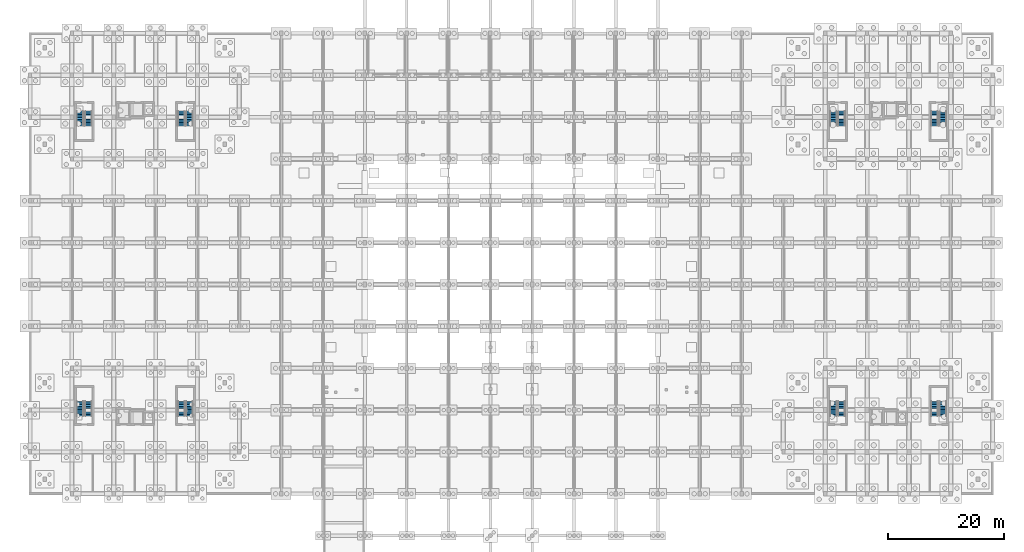
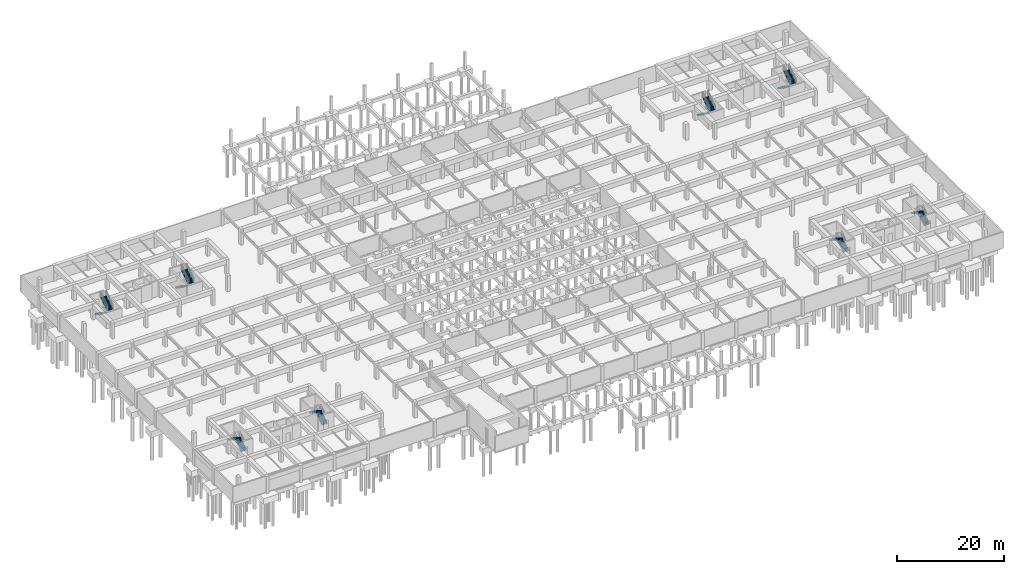
# One storey, part 31 of 36: 16 stair flights, 8 elements without a shape of their own.
"""IFC4 building model written with IfcOpenShell, lengths in metres."""

from ifc_helpers import new_model, si_unit, direction, frame, origin, place, context, subcontext, project, spatial, polyline, outline, extrude, material, type_object, element, aggregate, save


model = new_model("IFC4")

# Units and contexts
model_context = context("Model", 3, precision=1e-05, world=origin(), true_north=direction((0.0, 1.0)))
body_context = subcontext(model_context, "Body", "Model", "MODEL_VIEW")
ifc_project = project(units=[si_unit("LENGTHUNIT", "METRE"), si_unit("AREAUNIT", "SQUARE_METRE"), si_unit("VOLUMEUNIT", "CUBIC_METRE"), si_unit("PLANEANGLEUNIT", "RADIAN"), si_unit("MASSUNIT", "GRAM", prefix="KILO")], contexts=[model_context])

# Site, building, storey
site_placement = place(None, origin())
site = spatial("IfcSite", under=ifc_project, at=site_placement, CompositionType="ELEMENT")
building_placement = place(site_placement, origin())
building = spatial("IfcBuilding", under=site, at=building_placement, Name="Ochrevale Crest", CompositionType="ELEMENT")
storey_placement = place(building_placement, frame((0.0, 0.0, -3.60009765625)))
storey = spatial("IfcBuildingStorey", under=building, at=storey_placement, Name="B1", CompositionType="ELEMENT", Elevation=-3.60009765625)

# Stair, stair flights
ifc_material = material(Name="Precast concrete C40/50", Category="concrete")
stair_type = type_object("IfcStairType", Name="ST-CORE-DOG", PredefinedType="HALF_TURN_STAIR", material=ifc_material)
stair_1_placement = place(storey_placement, origin())
stair_1 = element("IfcStair", 1, at=stair_1_placement, inside=storey, type_object=stair_type, Name="B1 Block A Fire Stair 1", PredefinedType="HALF_TURN_STAIR")
stair_flight_type = type_object("IfcStairFlightType", Name="SFL-CORE-125", PredefinedType="STRAIGHT", material=ifc_material)
stair_flight_1_placement = place(storey_placement, frame((10.02490234375, 27.77490234375, 0.0), z_axis=(0.0, 0.0, 1.0), x_axis=(0.0, 1.0, 0.0)))
stair_flight_1 = element("IfcStairFlight", 2, at=stair_flight_1_placement, type_object=stair_flight_type, Name="ST-A1 flight 1", NumberOfRisers=10, NumberOfTreads=9, PredefinedType="STRAIGHT", RiserHeight=0.18, TreadLength=0.28, context=body_context, shape_type="SweptSolid", body=[
    extrude(outline(polyline([(0.0, 0.0), (0.0, 0.179931640625), (0.280029296875, 0.179931640625), (0.280029296875, 0.360107421875), (0.56005859375, 0.360107421875), (0.56005859375, 0.5400390625), (0.840087890625, 0.5400390625), (0.840087890625, 0.719970703125), (1.1201171875, 0.719970703125), (1.1201171875, 0.89990234375), (1.39990234375, 0.89990234375), (1.39990234375, 1.080078125), (1.679931640625, 1.080078125), (1.679931640625, 1.260009765625), (1.9599609375, 1.260009765625), (1.9599609375, 1.43994140625), (2.239990234375, 1.43994140625), (2.239990234375, 1.6201171875), (2.52001953125, 1.6201171875), (2.52001953125, 1.800048828125), (2.52001953125, 1.44189453125), (0.277099609375, 0.0), (0.0, 0.0)])), frame((0.0, 0.625, 0.0), z_axis=(0.0, -1.0, 0.0), x_axis=(1.0, 0.0, 0.0)), (0.0, 0.0, 1.0), 1.25),
])
stair_flight_2_placement = place(storey_placement, frame((8.625, 30.294921875, 1.800048828125), z_axis=(0.0, 0.0, 1.0), x_axis=(0.0, -1.0, 0.0)))
stair_flight_2 = element("IfcStairFlight", 3, at=stair_flight_2_placement, type_object=stair_flight_type, Name="ST-A1 flight 2", NumberOfRisers=10, NumberOfTreads=9, PredefinedType="STRAIGHT", RiserHeight=0.18, TreadLength=0.28, context=body_context, shape_type="SweptSolid", body=[
    extrude(outline(polyline([(0.0, 0.0), (0.0, 0.179931640625), (0.280029296875, 0.179931640625), (0.280029296875, 0.360107421875), (0.56005859375, 0.360107421875), (0.56005859375, 0.5400390625), (0.840087890625, 0.5400390625), (0.840087890625, 0.719970703125), (1.1201171875, 0.719970703125), (1.1201171875, 0.89990234375), (1.39990234375, 0.89990234375), (1.39990234375, 1.080078125), (1.679931640625, 1.080078125), (1.679931640625, 1.260009765625), (1.9599609375, 1.260009765625), (1.9599609375, 1.43994140625), (2.239990234375, 1.43994140625), (2.239990234375, 1.6201171875), (2.52001953125, 1.6201171875), (2.52001953125, 1.800048828125), (2.52001953125, 1.44189453125), (0.277099609375, 0.0), (0.0, 0.0)])), frame((0.0, 0.625, 0.0), z_axis=(0.0, -1.0, 0.0), x_axis=(1.0, 0.0, 0.0)), (0.0, 0.0, 1.0), 1.25),
])
aggregate(stair_1, [stair_flight_1, stair_flight_2])

stair_2_placement = place(storey_placement, origin())
stair_2 = element("IfcStair", 4, at=stair_2_placement, inside=storey, type_object=stair_type, Name="B1 Block A Fire Stair 2", PredefinedType="HALF_TURN_STAIR")
stair_flight_3_placement = place(storey_placement, frame((27.425048828125, 27.77490234375, 0.0), z_axis=(0.0, 0.0, 1.0), x_axis=(0.0, 1.0, 0.0)))
stair_flight_3 = element("IfcStairFlight", 5, at=stair_flight_3_placement, type_object=stair_flight_type, Name="ST-A2 flight 1", NumberOfRisers=10, NumberOfTreads=9, PredefinedType="STRAIGHT", RiserHeight=0.18, TreadLength=0.28, context=body_context, shape_type="SweptSolid", body=[
    extrude(outline(polyline([(0.0, 0.0), (0.0, 0.179931640625), (0.280029296875, 0.179931640625), (0.280029296875, 0.360107421875), (0.56005859375, 0.360107421875), (0.56005859375, 0.5400390625), (0.840087890625, 0.5400390625), (0.840087890625, 0.719970703125), (1.1201171875, 0.719970703125), (1.1201171875, 0.89990234375), (1.39990234375, 0.89990234375), (1.39990234375, 1.080078125), (1.679931640625, 1.080078125), (1.679931640625, 1.260009765625), (1.9599609375, 1.260009765625), (1.9599609375, 1.43994140625), (2.239990234375, 1.43994140625), (2.239990234375, 1.6201171875), (2.52001953125, 1.6201171875), (2.52001953125, 1.800048828125), (2.52001953125, 1.44189453125), (0.277099609375, 0.0), (0.0, 0.0)])), frame((0.0, 0.625, 0.0), z_axis=(0.0, -1.0, 0.0), x_axis=(1.0, 0.0, 0.0)), (0.0, 0.0, 1.0), 1.25),
])
stair_flight_4_placement = place(storey_placement, frame((26.02490234375, 30.294921875, 1.800048828125), z_axis=(0.0, 0.0, 1.0), x_axis=(0.0, -1.0, 0.0)))
stair_flight_4 = element("IfcStairFlight", 6, at=stair_flight_4_placement, type_object=stair_flight_type, Name="ST-A2 flight 2", NumberOfRisers=10, NumberOfTreads=9, PredefinedType="STRAIGHT", RiserHeight=0.18, TreadLength=0.28, context=body_context, shape_type="SweptSolid", body=[
    extrude(outline(polyline([(0.0, 0.0), (0.0, 0.179931640625), (0.280029296875, 0.179931640625), (0.280029296875, 0.360107421875), (0.56005859375, 0.360107421875), (0.56005859375, 0.5400390625), (0.840087890625, 0.5400390625), (0.840087890625, 0.719970703125), (1.1201171875, 0.719970703125), (1.1201171875, 0.89990234375), (1.39990234375, 0.89990234375), (1.39990234375, 1.080078125), (1.679931640625, 1.080078125), (1.679931640625, 1.260009765625), (1.9599609375, 1.260009765625), (1.9599609375, 1.43994140625), (2.239990234375, 1.43994140625), (2.239990234375, 1.6201171875), (2.52001953125, 1.6201171875), (2.52001953125, 1.800048828125), (2.52001953125, 1.44189453125), (0.277099609375, 0.0), (0.0, 0.0)])), frame((0.0, 0.625, 0.0), z_axis=(0.0, -1.0, 0.0), x_axis=(1.0, 0.0, 0.0)), (0.0, 0.0, 1.0), 1.25),
])
aggregate(stair_2, [stair_flight_3, stair_flight_4])

stair_3_placement = place(storey_placement, origin())
stair_3 = element("IfcStair", 7, at=stair_3_placement, inside=storey, type_object=stair_type, Name="B1 Block B Fire Stair 1", PredefinedType="HALF_TURN_STAIR")
stair_flight_5_placement = place(storey_placement, frame((8.625, 80.22509765625, 0.0), z_axis=(0.0, 0.0, 1.0), x_axis=(0.0, -1.0, 0.0)))
stair_flight_5 = element("IfcStairFlight", 8, at=stair_flight_5_placement, type_object=stair_flight_type, Name="ST-B1 flight 1", NumberOfRisers=10, NumberOfTreads=9, PredefinedType="STRAIGHT", RiserHeight=0.18, TreadLength=0.28, context=body_context, shape_type="SweptSolid", body=[
    extrude(outline(polyline([(0.0, 0.0), (0.0, 0.179931640625), (0.280029296875, 0.179931640625), (0.280029296875, 0.360107421875), (0.56005859375, 0.360107421875), (0.56005859375, 0.5400390625), (0.840087890625, 0.5400390625), (0.840087890625, 0.719970703125), (1.1201171875, 0.719970703125), (1.1201171875, 0.89990234375), (1.39990234375, 0.89990234375), (1.39990234375, 1.080078125), (1.679931640625, 1.080078125), (1.679931640625, 1.260009765625), (1.9599609375, 1.260009765625), (1.9599609375, 1.43994140625), (2.239990234375, 1.43994140625), (2.239990234375, 1.6201171875), (2.52001953125, 1.6201171875), (2.52001953125, 1.800048828125), (2.52001953125, 1.44189453125), (0.277099609375, 0.0), (0.0, 0.0)])), frame((0.0, 0.625, 0.0), z_axis=(0.0, -1.0, 0.0), x_axis=(1.0, 0.0, 0.0)), (0.0, 0.0, 1.0), 1.25),
])
stair_flight_6_placement = place(storey_placement, frame((10.02490234375, 77.705078125, 1.800048828125), z_axis=(0.0, 0.0, 1.0), x_axis=(0.0, 1.0, 0.0)))
stair_flight_6 = element("IfcStairFlight", 9, at=stair_flight_6_placement, type_object=stair_flight_type, Name="ST-B1 flight 2", NumberOfRisers=10, NumberOfTreads=9, PredefinedType="STRAIGHT", RiserHeight=0.18, TreadLength=0.28, context=body_context, shape_type="SweptSolid", body=[
    extrude(outline(polyline([(0.0, 0.0), (0.0, 0.179931640625), (0.280029296875, 0.179931640625), (0.280029296875, 0.360107421875), (0.56005859375, 0.360107421875), (0.56005859375, 0.5400390625), (0.840087890625, 0.5400390625), (0.840087890625, 0.719970703125), (1.1201171875, 0.719970703125), (1.1201171875, 0.89990234375), (1.39990234375, 0.89990234375), (1.39990234375, 1.080078125), (1.679931640625, 1.080078125), (1.679931640625, 1.260009765625), (1.9599609375, 1.260009765625), (1.9599609375, 1.43994140625), (2.239990234375, 1.43994140625), (2.239990234375, 1.6201171875), (2.52001953125, 1.6201171875), (2.52001953125, 1.800048828125), (2.52001953125, 1.44189453125), (0.277099609375, 0.0), (0.0, 0.0)])), frame((0.0, 0.625, 0.0), z_axis=(0.0, -1.0, 0.0), x_axis=(1.0, 0.0, 0.0)), (0.0, 0.0, 1.0), 1.25),
])
aggregate(stair_3, [stair_flight_5, stair_flight_6])

stair_4_placement = place(storey_placement, origin())
stair_4 = element("IfcStair", 10, at=stair_4_placement, inside=storey, type_object=stair_type, Name="B1 Block B Fire Stair 2", PredefinedType="HALF_TURN_STAIR")
stair_flight_7_placement = place(storey_placement, frame((26.02490234375, 80.22509765625, 0.0), z_axis=(0.0, 0.0, 1.0), x_axis=(0.0, -1.0, 0.0)))
stair_flight_7 = element("IfcStairFlight", 11, at=stair_flight_7_placement, type_object=stair_flight_type, Name="ST-B2 flight 1", NumberOfRisers=10, NumberOfTreads=9, PredefinedType="STRAIGHT", RiserHeight=0.18, TreadLength=0.28, context=body_context, shape_type="SweptSolid", body=[
    extrude(outline(polyline([(0.0, 0.0), (0.0, 0.179931640625), (0.280029296875, 0.179931640625), (0.280029296875, 0.360107421875), (0.56005859375, 0.360107421875), (0.56005859375, 0.5400390625), (0.840087890625, 0.5400390625), (0.840087890625, 0.719970703125), (1.1201171875, 0.719970703125), (1.1201171875, 0.89990234375), (1.39990234375, 0.89990234375), (1.39990234375, 1.080078125), (1.679931640625, 1.080078125), (1.679931640625, 1.260009765625), (1.9599609375, 1.260009765625), (1.9599609375, 1.43994140625), (2.239990234375, 1.43994140625), (2.239990234375, 1.6201171875), (2.52001953125, 1.6201171875), (2.52001953125, 1.800048828125), (2.52001953125, 1.44189453125), (0.277099609375, 0.0), (0.0, 0.0)])), frame((0.0, 0.625, 0.0), z_axis=(0.0, -1.0, 0.0), x_axis=(1.0, 0.0, 0.0)), (0.0, 0.0, 1.0), 1.25),
])
stair_flight_8_placement = place(storey_placement, frame((27.425048828125, 77.705078125, 1.800048828125), z_axis=(0.0, 0.0, 1.0), x_axis=(0.0, 1.0, 0.0)))
stair_flight_8 = element("IfcStairFlight", 12, at=stair_flight_8_placement, type_object=stair_flight_type, Name="ST-B2 flight 2", NumberOfRisers=10, NumberOfTreads=9, PredefinedType="STRAIGHT", RiserHeight=0.18, TreadLength=0.28, context=body_context, shape_type="SweptSolid", body=[
    extrude(outline(polyline([(0.0, 0.0), (0.0, 0.179931640625), (0.280029296875, 0.179931640625), (0.280029296875, 0.360107421875), (0.56005859375, 0.360107421875), (0.56005859375, 0.5400390625), (0.840087890625, 0.5400390625), (0.840087890625, 0.719970703125), (1.1201171875, 0.719970703125), (1.1201171875, 0.89990234375), (1.39990234375, 0.89990234375), (1.39990234375, 1.080078125), (1.679931640625, 1.080078125), (1.679931640625, 1.260009765625), (1.9599609375, 1.260009765625), (1.9599609375, 1.43994140625), (2.239990234375, 1.43994140625), (2.239990234375, 1.6201171875), (2.52001953125, 1.6201171875), (2.52001953125, 1.800048828125), (2.52001953125, 1.44189453125), (0.277099609375, 0.0), (0.0, 0.0)])), frame((0.0, 0.625, 0.0), z_axis=(0.0, -1.0, 0.0), x_axis=(1.0, 0.0, 0.0)), (0.0, 0.0, 1.0), 1.25),
])
aggregate(stair_4, [stair_flight_7, stair_flight_8])

stair_5_placement = place(storey_placement, origin())
stair_5 = element("IfcStair", 13, at=stair_5_placement, inside=storey, type_object=stair_type, Name="B1 Block C Fire Stair 1", PredefinedType="HALF_TURN_STAIR")
stair_flight_9_placement = place(storey_placement, frame((139.625, 27.77490234375, 0.0), z_axis=(0.0, 0.0, 1.0), x_axis=(0.0, 1.0, 0.0)))
stair_flight_9 = element("IfcStairFlight", 14, at=stair_flight_9_placement, type_object=stair_flight_type, Name="ST-C1 flight 1", NumberOfRisers=10, NumberOfTreads=9, PredefinedType="STRAIGHT", RiserHeight=0.18, TreadLength=0.28, context=body_context, shape_type="SweptSolid", body=[
    extrude(outline(polyline([(0.0, 0.0), (0.0, 0.179931640625), (0.280029296875, 0.179931640625), (0.280029296875, 0.360107421875), (0.56005859375, 0.360107421875), (0.56005859375, 0.5400390625), (0.840087890625, 0.5400390625), (0.840087890625, 0.719970703125), (1.1201171875, 0.719970703125), (1.1201171875, 0.89990234375), (1.39990234375, 0.89990234375), (1.39990234375, 1.080078125), (1.679931640625, 1.080078125), (1.679931640625, 1.260009765625), (1.9599609375, 1.260009765625), (1.9599609375, 1.43994140625), (2.239990234375, 1.43994140625), (2.239990234375, 1.6201171875), (2.52001953125, 1.6201171875), (2.52001953125, 1.800048828125), (2.52001953125, 1.44189453125), (0.277099609375, 0.0), (0.0, 0.0)])), frame((0.0, 0.625, 0.0), z_axis=(0.0, -1.0, 0.0), x_axis=(1.0, 0.0, 0.0)), (0.0, 0.0, 1.0), 1.25),
])
stair_flight_10_placement = place(storey_placement, frame((138.22509765625, 30.294921875, 1.800048828125), z_axis=(0.0, 0.0, 1.0), x_axis=(0.0, -1.0, 0.0)))
stair_flight_10 = element("IfcStairFlight", 15, at=stair_flight_10_placement, type_object=stair_flight_type, Name="ST-C1 flight 2", NumberOfRisers=10, NumberOfTreads=9, PredefinedType="STRAIGHT", RiserHeight=0.18, TreadLength=0.28, context=body_context, shape_type="SweptSolid", body=[
    extrude(outline(polyline([(0.0, 0.0), (0.0, 0.179931640625), (0.280029296875, 0.179931640625), (0.280029296875, 0.360107421875), (0.56005859375, 0.360107421875), (0.56005859375, 0.5400390625), (0.840087890625, 0.5400390625), (0.840087890625, 0.719970703125), (1.1201171875, 0.719970703125), (1.1201171875, 0.89990234375), (1.39990234375, 0.89990234375), (1.39990234375, 1.080078125), (1.679931640625, 1.080078125), (1.679931640625, 1.260009765625), (1.9599609375, 1.260009765625), (1.9599609375, 1.43994140625), (2.239990234375, 1.43994140625), (2.239990234375, 1.6201171875), (2.52001953125, 1.6201171875), (2.52001953125, 1.800048828125), (2.52001953125, 1.44189453125), (0.277099609375, 0.0), (0.0, 0.0)])), frame((0.0, 0.625, 0.0), z_axis=(0.0, -1.0, 0.0), x_axis=(1.0, 0.0, 0.0)), (0.0, 0.0, 1.0), 1.25),
])
aggregate(stair_5, [stair_flight_9, stair_flight_10])

stair_6_placement = place(storey_placement, origin())
stair_6 = element("IfcStair", 16, at=stair_6_placement, inside=storey, type_object=stair_type, Name="B1 Block C Fire Stair 2", PredefinedType="HALF_TURN_STAIR")
stair_flight_11_placement = place(storey_placement, frame((157.02490234375, 27.77490234375, 0.0), z_axis=(0.0, 0.0, 1.0), x_axis=(0.0, 1.0, 0.0)))
stair_flight_11 = element("IfcStairFlight", 17, at=stair_flight_11_placement, type_object=stair_flight_type, Name="ST-C2 flight 1", NumberOfRisers=10, NumberOfTreads=9, PredefinedType="STRAIGHT", RiserHeight=0.18, TreadLength=0.28, context=body_context, shape_type="SweptSolid", body=[
    extrude(outline(polyline([(0.0, 0.0), (0.0, 0.179931640625), (0.280029296875, 0.179931640625), (0.280029296875, 0.360107421875), (0.56005859375, 0.360107421875), (0.56005859375, 0.5400390625), (0.840087890625, 0.5400390625), (0.840087890625, 0.719970703125), (1.1201171875, 0.719970703125), (1.1201171875, 0.89990234375), (1.39990234375, 0.89990234375), (1.39990234375, 1.080078125), (1.679931640625, 1.080078125), (1.679931640625, 1.260009765625), (1.9599609375, 1.260009765625), (1.9599609375, 1.43994140625), (2.239990234375, 1.43994140625), (2.239990234375, 1.6201171875), (2.52001953125, 1.6201171875), (2.52001953125, 1.800048828125), (2.52001953125, 1.44189453125), (0.277099609375, 0.0), (0.0, 0.0)])), frame((0.0, 0.625, 0.0), z_axis=(0.0, -1.0, 0.0), x_axis=(1.0, 0.0, 0.0)), (0.0, 0.0, 1.0), 1.25),
])
stair_flight_12_placement = place(storey_placement, frame((155.625, 30.294921875, 1.800048828125), z_axis=(0.0, 0.0, 1.0), x_axis=(0.0, -1.0, 0.0)))
stair_flight_12 = element("IfcStairFlight", 18, at=stair_flight_12_placement, type_object=stair_flight_type, Name="ST-C2 flight 2", NumberOfRisers=10, NumberOfTreads=9, PredefinedType="STRAIGHT", RiserHeight=0.18, TreadLength=0.28, context=body_context, shape_type="SweptSolid", body=[
    extrude(outline(polyline([(0.0, 0.0), (0.0, 0.179931640625), (0.280029296875, 0.179931640625), (0.280029296875, 0.360107421875), (0.56005859375, 0.360107421875), (0.56005859375, 0.5400390625), (0.840087890625, 0.5400390625), (0.840087890625, 0.719970703125), (1.1201171875, 0.719970703125), (1.1201171875, 0.89990234375), (1.39990234375, 0.89990234375), (1.39990234375, 1.080078125), (1.679931640625, 1.080078125), (1.679931640625, 1.260009765625), (1.9599609375, 1.260009765625), (1.9599609375, 1.43994140625), (2.239990234375, 1.43994140625), (2.239990234375, 1.6201171875), (2.52001953125, 1.6201171875), (2.52001953125, 1.800048828125), (2.52001953125, 1.44189453125), (0.277099609375, 0.0), (0.0, 0.0)])), frame((0.0, 0.625, 0.0), z_axis=(0.0, -1.0, 0.0), x_axis=(1.0, 0.0, 0.0)), (0.0, 0.0, 1.0), 1.25),
])
aggregate(stair_6, [stair_flight_11, stair_flight_12])

stair_7_placement = place(storey_placement, origin())
stair_7 = element("IfcStair", 19, at=stair_7_placement, inside=storey, type_object=stair_type, Name="B1 Block D Fire Stair 1", PredefinedType="HALF_TURN_STAIR")
stair_flight_13_placement = place(storey_placement, frame((138.22509765625, 80.22509765625, 0.0), z_axis=(0.0, 0.0, 1.0), x_axis=(0.0, -1.0, 0.0)))
stair_flight_13 = element("IfcStairFlight", 20, at=stair_flight_13_placement, type_object=stair_flight_type, Name="ST-D1 flight 1", NumberOfRisers=10, NumberOfTreads=9, PredefinedType="STRAIGHT", RiserHeight=0.18, TreadLength=0.28, context=body_context, shape_type="SweptSolid", body=[
    extrude(outline(polyline([(0.0, 0.0), (0.0, 0.179931640625), (0.280029296875, 0.179931640625), (0.280029296875, 0.360107421875), (0.56005859375, 0.360107421875), (0.56005859375, 0.5400390625), (0.840087890625, 0.5400390625), (0.840087890625, 0.719970703125), (1.1201171875, 0.719970703125), (1.1201171875, 0.89990234375), (1.39990234375, 0.89990234375), (1.39990234375, 1.080078125), (1.679931640625, 1.080078125), (1.679931640625, 1.260009765625), (1.9599609375, 1.260009765625), (1.9599609375, 1.43994140625), (2.239990234375, 1.43994140625), (2.239990234375, 1.6201171875), (2.52001953125, 1.6201171875), (2.52001953125, 1.800048828125), (2.52001953125, 1.44189453125), (0.277099609375, 0.0), (0.0, 0.0)])), frame((0.0, 0.625, 0.0), z_axis=(0.0, -1.0, 0.0), x_axis=(1.0, 0.0, 0.0)), (0.0, 0.0, 1.0), 1.25),
])
stair_flight_14_placement = place(storey_placement, frame((139.625, 77.705078125, 1.800048828125), z_axis=(0.0, 0.0, 1.0), x_axis=(0.0, 1.0, 0.0)))
stair_flight_14 = element("IfcStairFlight", 21, at=stair_flight_14_placement, type_object=stair_flight_type, Name="ST-D1 flight 2", NumberOfRisers=10, NumberOfTreads=9, PredefinedType="STRAIGHT", RiserHeight=0.18, TreadLength=0.28, context=body_context, shape_type="SweptSolid", body=[
    extrude(outline(polyline([(0.0, 0.0), (0.0, 0.179931640625), (0.280029296875, 0.179931640625), (0.280029296875, 0.360107421875), (0.56005859375, 0.360107421875), (0.56005859375, 0.5400390625), (0.840087890625, 0.5400390625), (0.840087890625, 0.719970703125), (1.1201171875, 0.719970703125), (1.1201171875, 0.89990234375), (1.39990234375, 0.89990234375), (1.39990234375, 1.080078125), (1.679931640625, 1.080078125), (1.679931640625, 1.260009765625), (1.9599609375, 1.260009765625), (1.9599609375, 1.43994140625), (2.239990234375, 1.43994140625), (2.239990234375, 1.6201171875), (2.52001953125, 1.6201171875), (2.52001953125, 1.800048828125), (2.52001953125, 1.44189453125), (0.277099609375, 0.0), (0.0, 0.0)])), frame((0.0, 0.625, 0.0), z_axis=(0.0, -1.0, 0.0), x_axis=(1.0, 0.0, 0.0)), (0.0, 0.0, 1.0), 1.25),
])
aggregate(stair_7, [stair_flight_13, stair_flight_14])

stair_8_placement = place(storey_placement, origin())
stair_8 = element("IfcStair", 22, at=stair_8_placement, inside=storey, type_object=stair_type, Name="B1 Block D Fire Stair 2", PredefinedType="HALF_TURN_STAIR")
stair_flight_15_placement = place(storey_placement, frame((155.625, 80.22509765625, 0.0), z_axis=(0.0, 0.0, 1.0), x_axis=(0.0, -1.0, 0.0)))
stair_flight_15 = element("IfcStairFlight", 23, at=stair_flight_15_placement, type_object=stair_flight_type, Name="ST-D2 flight 1", NumberOfRisers=10, NumberOfTreads=9, PredefinedType="STRAIGHT", RiserHeight=0.18, TreadLength=0.28, context=body_context, shape_type="SweptSolid", body=[
    extrude(outline(polyline([(0.0, 0.0), (0.0, 0.179931640625), (0.280029296875, 0.179931640625), (0.280029296875, 0.360107421875), (0.56005859375, 0.360107421875), (0.56005859375, 0.5400390625), (0.840087890625, 0.5400390625), (0.840087890625, 0.719970703125), (1.1201171875, 0.719970703125), (1.1201171875, 0.89990234375), (1.39990234375, 0.89990234375), (1.39990234375, 1.080078125), (1.679931640625, 1.080078125), (1.679931640625, 1.260009765625), (1.9599609375, 1.260009765625), (1.9599609375, 1.43994140625), (2.239990234375, 1.43994140625), (2.239990234375, 1.6201171875), (2.52001953125, 1.6201171875), (2.52001953125, 1.800048828125), (2.52001953125, 1.44189453125), (0.277099609375, 0.0), (0.0, 0.0)])), frame((0.0, 0.625, 0.0), z_axis=(0.0, -1.0, 0.0), x_axis=(1.0, 0.0, 0.0)), (0.0, 0.0, 1.0), 1.25),
])
stair_flight_16_placement = place(storey_placement, frame((157.02490234375, 77.705078125, 1.800048828125), z_axis=(0.0, 0.0, 1.0), x_axis=(0.0, 1.0, 0.0)))
stair_flight_16 = element("IfcStairFlight", 24, at=stair_flight_16_placement, type_object=stair_flight_type, Name="ST-D2 flight 2", NumberOfRisers=10, NumberOfTreads=9, PredefinedType="STRAIGHT", RiserHeight=0.18, TreadLength=0.28, context=body_context, shape_type="SweptSolid", body=[
    extrude(outline(polyline([(0.0, 0.0), (0.0, 0.179931640625), (0.280029296875, 0.179931640625), (0.280029296875, 0.360107421875), (0.56005859375, 0.360107421875), (0.56005859375, 0.5400390625), (0.840087890625, 0.5400390625), (0.840087890625, 0.719970703125), (1.1201171875, 0.719970703125), (1.1201171875, 0.89990234375), (1.39990234375, 0.89990234375), (1.39990234375, 1.080078125), (1.679931640625, 1.080078125), (1.679931640625, 1.260009765625), (1.9599609375, 1.260009765625), (1.9599609375, 1.43994140625), (2.239990234375, 1.43994140625), (2.239990234375, 1.6201171875), (2.52001953125, 1.6201171875), (2.52001953125, 1.800048828125), (2.52001953125, 1.44189453125), (0.277099609375, 0.0), (0.0, 0.0)])), frame((0.0, 0.625, 0.0), z_axis=(0.0, -1.0, 0.0), x_axis=(1.0, 0.0, 0.0)), (0.0, 0.0, 1.0), 1.25),
])
aggregate(stair_8, [stair_flight_15, stair_flight_16])

save(model, "model.ifc")
